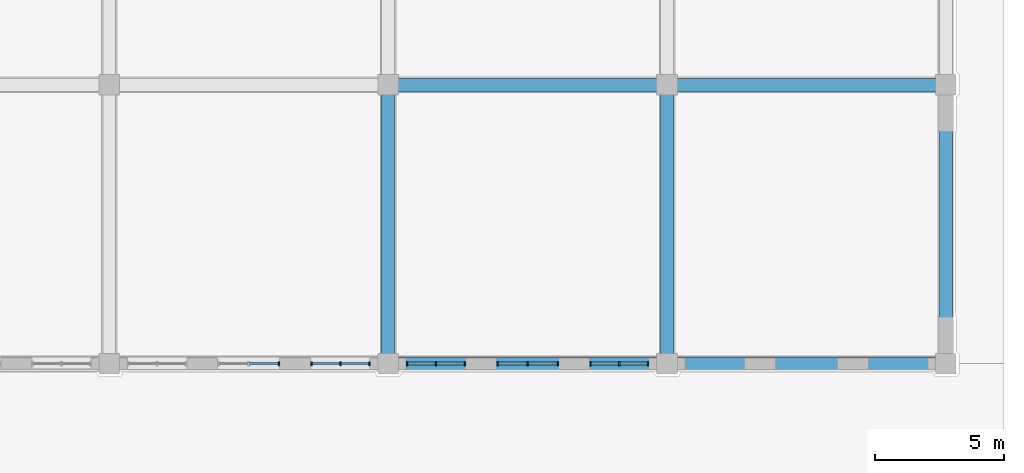
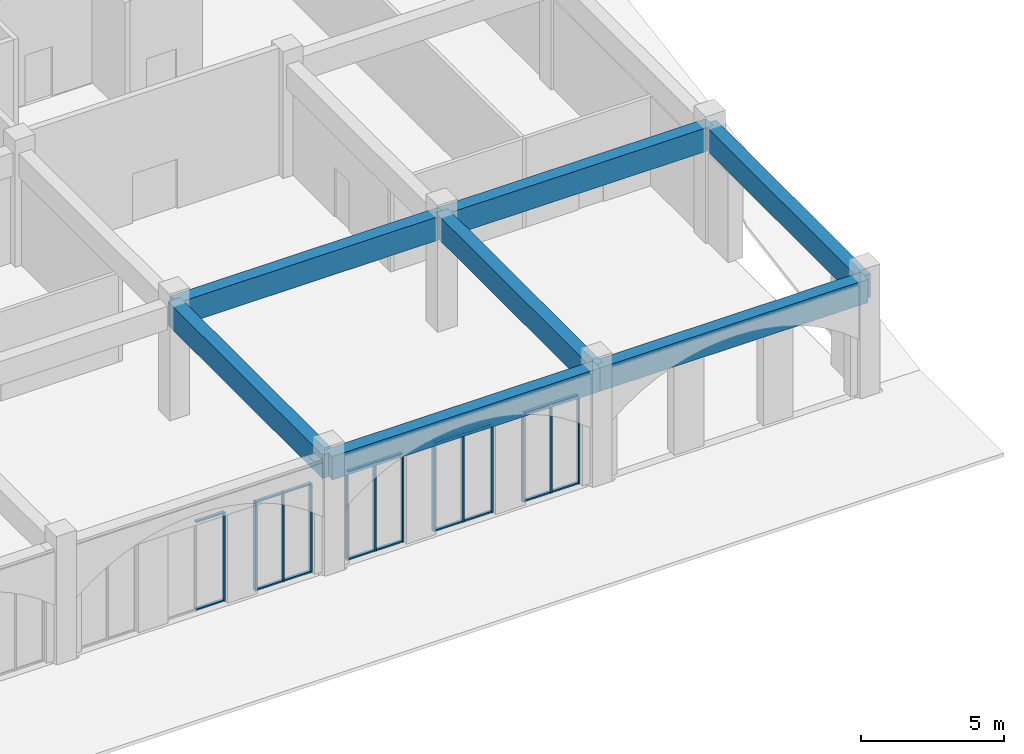
# One storey, part 19 of 101: 31 members, 7 beams, 5 elements without a shape of their own.
"""IFC4 building model written with IfcOpenShell, lengths in metres."""

from ifc_helpers import new_model, si_unit, direction, frame, origin, origin_2d, place, context, subcontext, project, spatial, rectangle, extrude, material, layer, layer_set, material_profile, profile_set, type_object, element, aggregate, save


model = new_model("IFC4")

# Units and contexts
model_context = context("Model", 3, precision=1e-05, world=origin(), true_north=direction((0.0, 1.0)))
body_context = subcontext(model_context, "Body", "Model", "MODEL_VIEW")
ifc_project = project(units=[si_unit("LENGTHUNIT", "METRE"), si_unit("AREAUNIT", "SQUARE_METRE"), si_unit("VOLUMEUNIT", "CUBIC_METRE"), si_unit("PLANEANGLEUNIT", "RADIAN"), si_unit("MASSUNIT", "GRAM", prefix="KILO")], contexts=[model_context])

# Site, building, storey
site_placement = place(None, origin())
site = spatial("IfcSite", under=ifc_project, at=site_placement, CompositionType="ELEMENT")
building_placement = place(site_placement, origin())
building = spatial("IfcBuilding", under=site, at=building_placement, Name="Magnolia Steps Interchange", CompositionType="ELEMENT")
storey_placement = place(building_placement, frame((0.0, 0.0, -5.39990234375)))
storey = spatial("IfcBuildingStorey", under=building, at=storey_placement, Name="B1", CompositionType="ELEMENT", Elevation=-5.39990234375)

# Curtain wall, member
ifc_material_1 = material(Name="Powder-coated aluminium and glass", Category="aluminium")
ifc_layer = layer(ifc_material_1, 0.1201171875)
ifc_layer_set = layer_set([ifc_layer], Name="Shopfront curtain wall")
curtain_wall_type = type_object("IfcCurtainWallType", Name="Shopfront curtain wall", PredefinedType="NOTDEFINED", material=ifc_layer_set)
curtain_wall_1_placement = place(storey_placement, origin())
curtain_wall_1 = element("IfcCurtainWall", 1, at=curtain_wall_1_placement, inside=storey, type_object=curtain_wall_type, Name="Street arcade shopfront 58", PredefinedType="NOTDEFINED")
ifc_material_2 = material(Name="White powder-coated aluminium", Category="aluminium")
ifc_material_profile_1 = material_profile(ifc_material_2, rectangle(XDim=0.06005859375, YDim=0.14990234375, at=origin_2d()), Name="Aluminium mullion 60 x 150")
ifc_profile_set_1 = profile_set([ifc_material_profile_1], Name="White powder-coated aluminium")
member_type_1 = type_object("IfcMemberType", Name="Aluminium mullion 60 x 150", PredefinedType="MULLION", material=ifc_profile_set_1)
member_1_placement = place(storey_placement, frame((167.77001953125, 10.0, 0.0), z_axis=(0.0, 0.0, 1.0), x_axis=(1.0, 0.0, 0.0)))
member_1 = element("IfcMember", 2, at=member_1_placement, type_object=member_type_1, Name="CW3 mullion 3", PredefinedType="MULLION", context=body_context, shape_type="SweptSolid", body=[
    extrude(rectangle(XDim=0.06005859375, YDim=0.14990234375, at=origin_2d()), origin(), (0.0, 0.0, 1.0), 3.7998046875),
])

# Curtain wall, members
curtain_wall_2_placement = place(storey_placement, origin())
curtain_wall_2 = element("IfcCurtainWall", 3, at=curtain_wall_2_placement, inside=storey, type_object=curtain_wall_type, Name="Street arcade shopfront 60", PredefinedType="NOTDEFINED")
member_2_placement = place(storey_placement, frame((169.030029296875, 10.0, 0.0), z_axis=(0.0, 0.0, 1.0), x_axis=(1.0, 0.0, 0.0)))
member_2 = element("IfcMember", 4, at=member_2_placement, type_object=member_type_1, Name="CW3 mullion 1", PredefinedType="MULLION", context=body_context, shape_type="SweptSolid", body=[
    extrude(rectangle(XDim=0.06005859375, YDim=0.14990234375, at=origin_2d()), origin(), (0.0, 0.0, 1.0), 3.7998046875),
])
member_3_placement = place(storey_placement, frame((170.14990234375, 10.0, 0.0), z_axis=(0.0, 0.0, 1.0), x_axis=(1.0, 0.0, 0.0)))
member_3 = element("IfcMember", 5, at=member_3_placement, type_object=member_type_1, Name="CW3 mullion 2", PredefinedType="MULLION", context=body_context, shape_type="SweptSolid", body=[
    extrude(rectangle(XDim=0.06005859375, YDim=0.14990234375, at=origin_2d()), origin(), (0.0, 0.0, 1.0), 3.7998046875),
])
member_4_placement = place(storey_placement, frame((171.27001953125, 10.0, 0.0), z_axis=(0.0, 0.0, 1.0), x_axis=(1.0, 0.0, 0.0)))
member_4 = element("IfcMember", 6, at=member_4_placement, type_object=member_type_1, Name="CW3 mullion 3", PredefinedType="MULLION", context=body_context, shape_type="SweptSolid", body=[
    extrude(rectangle(XDim=0.06005859375, YDim=0.14990234375, at=origin_2d()), origin(), (0.0, 0.0, 1.0), 3.7998046875),
])

curtain_wall_3_placement = place(storey_placement, origin())
curtain_wall_3 = element("IfcCurtainWall", 7, at=curtain_wall_3_placement, inside=storey, type_object=curtain_wall_type, Name="Street arcade shopfront 62", PredefinedType="NOTDEFINED")
member_5_placement = place(storey_placement, frame((172.72998046875, 10.0, 0.0), z_axis=(0.0, 0.0, 1.0), x_axis=(1.0, 0.0, 0.0)))
member_5 = element("IfcMember", 8, at=member_5_placement, type_object=member_type_1, Name="CW3 mullion 1", PredefinedType="MULLION", context=body_context, shape_type="SweptSolid", body=[
    extrude(rectangle(XDim=0.06005859375, YDim=0.14990234375, at=origin_2d()), origin(), (0.0, 0.0, 1.0), 3.7998046875),
])
member_6_placement = place(storey_placement, frame((173.85009765625, 10.0, 0.0), z_axis=(0.0, 0.0, 1.0), x_axis=(1.0, 0.0, 0.0)))
member_6 = element("IfcMember", 9, at=member_6_placement, type_object=member_type_1, Name="CW3 mullion 2", PredefinedType="MULLION", context=body_context, shape_type="SweptSolid", body=[
    extrude(rectangle(XDim=0.06005859375, YDim=0.14990234375, at=origin_2d()), origin(), (0.0, 0.0, 1.0), 3.7998046875),
])
member_7_placement = place(storey_placement, frame((174.969970703125, 10.0, 0.0), z_axis=(0.0, 0.0, 1.0), x_axis=(1.0, 0.0, 0.0)))
member_7 = element("IfcMember", 10, at=member_7_placement, type_object=member_type_1, Name="CW3 mullion 3", PredefinedType="MULLION", context=body_context, shape_type="SweptSolid", body=[
    extrude(rectangle(XDim=0.06005859375, YDim=0.14990234375, at=origin_2d()), origin(), (0.0, 0.0, 1.0), 3.7998046875),
])

curtain_wall_4_placement = place(storey_placement, origin())
curtain_wall_4 = element("IfcCurtainWall", 11, at=curtain_wall_4_placement, inside=storey, type_object=curtain_wall_type, Name="Street arcade shopfront 64", PredefinedType="NOTDEFINED")
member_8_placement = place(storey_placement, frame((176.22998046875, 10.0, 0.0), z_axis=(0.0, 0.0, 1.0), x_axis=(1.0, 0.0, 0.0)))
member_8 = element("IfcMember", 12, at=member_8_placement, type_object=member_type_1, Name="CW3 mullion 1", PredefinedType="MULLION", context=body_context, shape_type="SweptSolid", body=[
    extrude(rectangle(XDim=0.06005859375, YDim=0.14990234375, at=origin_2d()), origin(), (0.0, 0.0, 1.0), 3.7998046875),
])
member_9_placement = place(storey_placement, frame((177.39990234375, 10.0, 0.0), z_axis=(0.0, 0.0, 1.0), x_axis=(1.0, 0.0, 0.0)))
member_9 = element("IfcMember", 13, at=member_9_placement, type_object=member_type_1, Name="CW3 mullion 2", PredefinedType="MULLION", context=body_context, shape_type="SweptSolid", body=[
    extrude(rectangle(XDim=0.06005859375, YDim=0.14990234375, at=origin_2d()), origin(), (0.0, 0.0, 1.0), 3.7998046875),
])
member_10_placement = place(storey_placement, frame((178.570068359375, 10.0, 0.0), z_axis=(0.0, 0.0, 1.0), x_axis=(1.0, 0.0, 0.0)))
member_10 = element("IfcMember", 14, at=member_10_placement, type_object=member_type_1, Name="CW3 mullion 3", PredefinedType="MULLION", context=body_context, shape_type="SweptSolid", body=[
    extrude(rectangle(XDim=0.06005859375, YDim=0.14990234375, at=origin_2d()), origin(), (0.0, 0.0, 1.0), 3.7998046875),
])

curtain_wall_5_placement = place(storey_placement, origin())
curtain_wall_5 = element("IfcCurtainWall", 15, at=curtain_wall_5_placement, inside=storey, type_object=curtain_wall_type, Name="Street arcade shopfront 66", PredefinedType="NOTDEFINED")
member_11_placement = place(storey_placement, frame((179.830078125, 10.0, 0.0), z_axis=(0.0, 0.0, 1.0), x_axis=(1.0, 0.0, 0.0)))
member_11 = element("IfcMember", 16, at=member_11_placement, type_object=member_type_1, Name="CW3 mullion 1", PredefinedType="MULLION", context=body_context, shape_type="SweptSolid", body=[
    extrude(rectangle(XDim=0.06005859375, YDim=0.14990234375, at=origin_2d()), origin(), (0.0, 0.0, 1.0), 3.7998046875),
])
member_12_placement = place(storey_placement, frame((180.949951171875, 10.0, 0.0), z_axis=(0.0, 0.0, 1.0), x_axis=(1.0, 0.0, 0.0)))
member_12 = element("IfcMember", 17, at=member_12_placement, type_object=member_type_1, Name="CW3 mullion 2", PredefinedType="MULLION", context=body_context, shape_type="SweptSolid", body=[
    extrude(rectangle(XDim=0.06005859375, YDim=0.14990234375, at=origin_2d()), origin(), (0.0, 0.0, 1.0), 3.7998046875),
])
member_13_placement = place(storey_placement, frame((182.070068359375, 10.0, 0.0), z_axis=(0.0, 0.0, 1.0), x_axis=(1.0, 0.0, 0.0)))
member_13 = element("IfcMember", 18, at=member_13_placement, type_object=member_type_1, Name="CW3 mullion 3", PredefinedType="MULLION", context=body_context, shape_type="SweptSolid", body=[
    extrude(rectangle(XDim=0.06005859375, YDim=0.14990234375, at=origin_2d()), origin(), (0.0, 0.0, 1.0), 3.7998046875),
])

# Member
ifc_material_3 = material(Name="White powder-coated aluminium", Category="aluminium")
ifc_material_profile_2 = material_profile(ifc_material_3, rectangle(XDim=0.06005859375, YDim=0.1201171875, at=origin_2d()), Name="Aluminium transom 60 x 120")
ifc_profile_set_2 = profile_set([ifc_material_profile_2], Name="White powder-coated aluminium")
member_type_2 = type_object("IfcMemberType", Name="Aluminium transom 60 x 120", PredefinedType="USERDEFINED", material=ifc_profile_set_2)
member_14_placement = place(storey_placement, frame((166.6298828125, 10.0, 0.02978515625), z_axis=(1.0, 0.0, 0.0), x_axis=(0.0, 0.0, 1.0)))
member_14 = element("IfcMember", 19, at=member_14_placement, type_object=member_type_2, Name="CW3 transom 2.1", ObjectType="TRANSOM", PredefinedType="USERDEFINED", context=body_context, shape_type="SweptSolid", body=[
    extrude(rectangle(XDim=0.06005859375, YDim=0.1201171875, at=origin_2d()), origin(), (0.0, 0.0, 1.0), 1.110107421875),
])

member_15_placement = place(storey_placement, frame((166.6298828125, 10.0, 3.77001953125), z_axis=(1.0, 0.0, 0.0), x_axis=(0.0, 0.0, 1.0)))
member_15 = element("IfcMember", 20, at=member_15_placement, type_object=member_type_2, Name="CW3 transom 2.2", ObjectType="TRANSOM", PredefinedType="USERDEFINED", context=body_context, shape_type="SweptSolid", body=[
    extrude(rectangle(XDim=0.06005859375, YDim=0.1201171875, at=origin_2d()), origin(), (0.0, 0.0, 1.0), 1.110107421875),
])

aggregate(curtain_wall_1, [member_1, member_14, member_15])

member_16_placement = place(storey_placement, frame((169.06005859375, 10.0, 0.02978515625), z_axis=(1.0, 0.0, 0.0), x_axis=(0.0, 0.0, 1.0)))
member_16 = element("IfcMember", 21, at=member_16_placement, type_object=member_type_2, Name="CW3 transom 1.1", ObjectType="TRANSOM", PredefinedType="USERDEFINED", context=body_context, shape_type="SweptSolid", body=[
    extrude(rectangle(XDim=0.06005859375, YDim=0.1201171875, at=origin_2d()), origin(), (0.0, 0.0, 1.0), 1.06005859375),
])

member_17_placement = place(storey_placement, frame((169.06005859375, 10.0, 3.77001953125), z_axis=(1.0, 0.0, 0.0), x_axis=(0.0, 0.0, 1.0)))
member_17 = element("IfcMember", 22, at=member_17_placement, type_object=member_type_2, Name="CW3 transom 1.2", ObjectType="TRANSOM", PredefinedType="USERDEFINED", context=body_context, shape_type="SweptSolid", body=[
    extrude(rectangle(XDim=0.06005859375, YDim=0.1201171875, at=origin_2d()), origin(), (0.0, 0.0, 1.0), 1.06005859375),
])

member_18_placement = place(storey_placement, frame((170.179931640625, 10.0, 0.02978515625), z_axis=(1.0, 0.0, 0.0), x_axis=(0.0, 0.0, 1.0)))
member_18 = element("IfcMember", 23, at=member_18_placement, type_object=member_type_2, Name="CW3 transom 2.1", ObjectType="TRANSOM", PredefinedType="USERDEFINED", context=body_context, shape_type="SweptSolid", body=[
    extrude(rectangle(XDim=0.06005859375, YDim=0.1201171875, at=origin_2d()), origin(), (0.0, 0.0, 1.0), 1.06005859375),
])

member_19_placement = place(storey_placement, frame((170.179931640625, 10.0, 3.77001953125), z_axis=(1.0, 0.0, 0.0), x_axis=(0.0, 0.0, 1.0)))
member_19 = element("IfcMember", 24, at=member_19_placement, type_object=member_type_2, Name="CW3 transom 2.2", ObjectType="TRANSOM", PredefinedType="USERDEFINED", context=body_context, shape_type="SweptSolid", body=[
    extrude(rectangle(XDim=0.06005859375, YDim=0.1201171875, at=origin_2d()), origin(), (0.0, 0.0, 1.0), 1.06005859375),
])

aggregate(curtain_wall_2, [member_2, member_3, member_4, member_16, member_17, member_18, member_19])

member_20_placement = place(storey_placement, frame((172.760009765625, 10.0, 0.02978515625), z_axis=(1.0, 0.0, 0.0), x_axis=(0.0, 0.0, 1.0)))
member_20 = element("IfcMember", 25, at=member_20_placement, type_object=member_type_2, Name="CW3 transom 1.1", ObjectType="TRANSOM", PredefinedType="USERDEFINED", context=body_context, shape_type="SweptSolid", body=[
    extrude(rectangle(XDim=0.06005859375, YDim=0.1201171875, at=origin_2d()), origin(), (0.0, 0.0, 1.0), 1.06005859375),
])

member_21_placement = place(storey_placement, frame((172.760009765625, 10.0, 3.77001953125), z_axis=(1.0, 0.0, 0.0), x_axis=(0.0, 0.0, 1.0)))
member_21 = element("IfcMember", 26, at=member_21_placement, type_object=member_type_2, Name="CW3 transom 1.2", ObjectType="TRANSOM", PredefinedType="USERDEFINED", context=body_context, shape_type="SweptSolid", body=[
    extrude(rectangle(XDim=0.06005859375, YDim=0.1201171875, at=origin_2d()), origin(), (0.0, 0.0, 1.0), 1.06005859375),
])

member_22_placement = place(storey_placement, frame((173.8798828125, 10.0, 0.02978515625), z_axis=(1.0, 0.0, 0.0), x_axis=(0.0, 0.0, 1.0)))
member_22 = element("IfcMember", 27, at=member_22_placement, type_object=member_type_2, Name="CW3 transom 2.1", ObjectType="TRANSOM", PredefinedType="USERDEFINED", context=body_context, shape_type="SweptSolid", body=[
    extrude(rectangle(XDim=0.06005859375, YDim=0.1201171875, at=origin_2d()), origin(), (0.0, 0.0, 1.0), 1.06005859375),
])

member_23_placement = place(storey_placement, frame((173.8798828125, 10.0, 3.77001953125), z_axis=(1.0, 0.0, 0.0), x_axis=(0.0, 0.0, 1.0)))
member_23 = element("IfcMember", 28, at=member_23_placement, type_object=member_type_2, Name="CW3 transom 2.2", ObjectType="TRANSOM", PredefinedType="USERDEFINED", context=body_context, shape_type="SweptSolid", body=[
    extrude(rectangle(XDim=0.06005859375, YDim=0.1201171875, at=origin_2d()), origin(), (0.0, 0.0, 1.0), 1.06005859375),
])

aggregate(curtain_wall_3, [member_5, member_6, member_7, member_20, member_21, member_22, member_23])

member_24_placement = place(storey_placement, frame((176.260009765625, 10.0, 0.02978515625), z_axis=(1.0, 0.0, 0.0), x_axis=(0.0, 0.0, 1.0)))
member_24 = element("IfcMember", 29, at=member_24_placement, type_object=member_type_2, Name="CW3 transom 1.1", ObjectType="TRANSOM", PredefinedType="USERDEFINED", context=body_context, shape_type="SweptSolid", body=[
    extrude(rectangle(XDim=0.06005859375, YDim=0.1201171875, at=origin_2d()), origin(), (0.0, 0.0, 1.0), 1.110107421875),
])

member_25_placement = place(storey_placement, frame((176.260009765625, 10.0, 3.77001953125), z_axis=(1.0, 0.0, 0.0), x_axis=(0.0, 0.0, 1.0)))
member_25 = element("IfcMember", 30, at=member_25_placement, type_object=member_type_2, Name="CW3 transom 1.2", ObjectType="TRANSOM", PredefinedType="USERDEFINED", context=body_context, shape_type="SweptSolid", body=[
    extrude(rectangle(XDim=0.06005859375, YDim=0.1201171875, at=origin_2d()), origin(), (0.0, 0.0, 1.0), 1.110107421875),
])

member_26_placement = place(storey_placement, frame((177.429931640625, 10.0, 0.02978515625), z_axis=(1.0, 0.0, 0.0), x_axis=(0.0, 0.0, 1.0)))
member_26 = element("IfcMember", 31, at=member_26_placement, type_object=member_type_2, Name="CW3 transom 2.1", ObjectType="TRANSOM", PredefinedType="USERDEFINED", context=body_context, shape_type="SweptSolid", body=[
    extrude(rectangle(XDim=0.06005859375, YDim=0.1201171875, at=origin_2d()), origin(), (0.0, 0.0, 1.0), 1.110107421875),
])

member_27_placement = place(storey_placement, frame((177.429931640625, 10.0, 3.77001953125), z_axis=(1.0, 0.0, 0.0), x_axis=(0.0, 0.0, 1.0)))
member_27 = element("IfcMember", 32, at=member_27_placement, type_object=member_type_2, Name="CW3 transom 2.2", ObjectType="TRANSOM", PredefinedType="USERDEFINED", context=body_context, shape_type="SweptSolid", body=[
    extrude(rectangle(XDim=0.06005859375, YDim=0.1201171875, at=origin_2d()), origin(), (0.0, 0.0, 1.0), 1.110107421875),
])

aggregate(curtain_wall_4, [member_8, member_9, member_10, member_24, member_25, member_26, member_27])

member_28_placement = place(storey_placement, frame((179.860107421875, 10.0, 0.02978515625), z_axis=(1.0, 0.0, 0.0), x_axis=(0.0, 0.0, 1.0)))
member_28 = element("IfcMember", 33, at=member_28_placement, type_object=member_type_2, Name="CW3 transom 1.1", ObjectType="TRANSOM", PredefinedType="USERDEFINED", context=body_context, shape_type="SweptSolid", body=[
    extrude(rectangle(XDim=0.06005859375, YDim=0.1201171875, at=origin_2d()), origin(), (0.0, 0.0, 1.0), 1.059814453125),
])

member_29_placement = place(storey_placement, frame((179.860107421875, 10.0, 3.77001953125), z_axis=(1.0, 0.0, 0.0), x_axis=(0.0, 0.0, 1.0)))
member_29 = element("IfcMember", 34, at=member_29_placement, type_object=member_type_2, Name="CW3 transom 1.2", ObjectType="TRANSOM", PredefinedType="USERDEFINED", context=body_context, shape_type="SweptSolid", body=[
    extrude(rectangle(XDim=0.06005859375, YDim=0.1201171875, at=origin_2d()), origin(), (0.0, 0.0, 1.0), 1.059814453125),
])

member_30_placement = place(storey_placement, frame((180.97998046875, 10.0, 0.02978515625), z_axis=(1.0, 0.0, 0.0), x_axis=(0.0, 0.0, 1.0)))
member_30 = element("IfcMember", 35, at=member_30_placement, type_object=member_type_2, Name="CW3 transom 2.1", ObjectType="TRANSOM", PredefinedType="USERDEFINED", context=body_context, shape_type="SweptSolid", body=[
    extrude(rectangle(XDim=0.06005859375, YDim=0.1201171875, at=origin_2d()), origin(), (0.0, 0.0, 1.0), 1.06005859375),
])

member_31_placement = place(storey_placement, frame((180.97998046875, 10.0, 3.77001953125), z_axis=(1.0, 0.0, 0.0), x_axis=(0.0, 0.0, 1.0)))
member_31 = element("IfcMember", 36, at=member_31_placement, type_object=member_type_2, Name="CW3 transom 2.2", ObjectType="TRANSOM", PredefinedType="USERDEFINED", context=body_context, shape_type="SweptSolid", body=[
    extrude(rectangle(XDim=0.06005859375, YDim=0.1201171875, at=origin_2d()), origin(), (0.0, 0.0, 1.0), 1.06005859375),
])

aggregate(curtain_wall_5, [member_11, member_12, member_13, member_28, member_29, member_30, member_31])

# Beams
ifc_material_4 = material(Name="Concrete C40", Category="concrete")
ifc_material_profile_3 = material_profile(ifc_material_4, rectangle(XDim=0.5, YDim=1.0, at=origin_2d()), Name="RC500x1000")
ifc_profile_set_3 = profile_set([ifc_material_profile_3], Name="Concrete C40")
beam_type = type_object("IfcBeamType", Name="RC beam 500x1000", PredefinedType="BEAM", material=ifc_profile_set_3)
for number, where, z_axis, x_axis, name in (
    (37, (172.0, 10.0, 4.2998046875), (1.0, 0.0, 0.0), (0.0, 1.0, 0.0), "Beam L00 A 16-17"),
    (38, (182.800048828125, 10.0, 4.2998046875), (1.0, 0.0, 0.0), (0.0, 1.0, 0.0), "Beam L00 A 17-18"),
    (39, (172.0, 20.800048828125, 4.2998046875), (1.0, 0.0, 0.0), (0.0, 1.0, 0.0), "Beam L00 B 16-17"),
    (40, (182.800048828125, 20.800048828125, 4.2998046875), (1.0, 0.0, 0.0), (0.0, 1.0, 0.0), "Beam L00 B 17-18"),
    (41, (172.0, 10.0, 4.2998046875), (0.0, 1.0, 0.0), (-1.0, 0.0, 0.0), "Beam L00 16 A-B"),
    (42, (182.800048828125, 10.0, 4.2998046875), (0.0, 1.0, 0.0), (-1.0, 0.0, 0.0), "Beam L00 17 A-B"),
    (43, (193.60009765625, 10.0, 4.2998046875), (0.0, 1.0, 0.0), (-1.0, 0.0, 0.0), "Beam L00 18 A-B"),
):
    element("IfcBeam", number, at=place(storey_placement, frame(where, z_axis=z_axis, x_axis=x_axis)), inside=storey, type_object=beam_type, Name=name, PredefinedType="BEAM", context=body_context, shape_type="SweptSolid", body=[
        extrude(rectangle(XDim=0.5, YDim=1.0, at=origin_2d()), origin(), (0.0, 0.0, 1.0), 10.800048828125),
    ])

save(model, "model.ifc")
